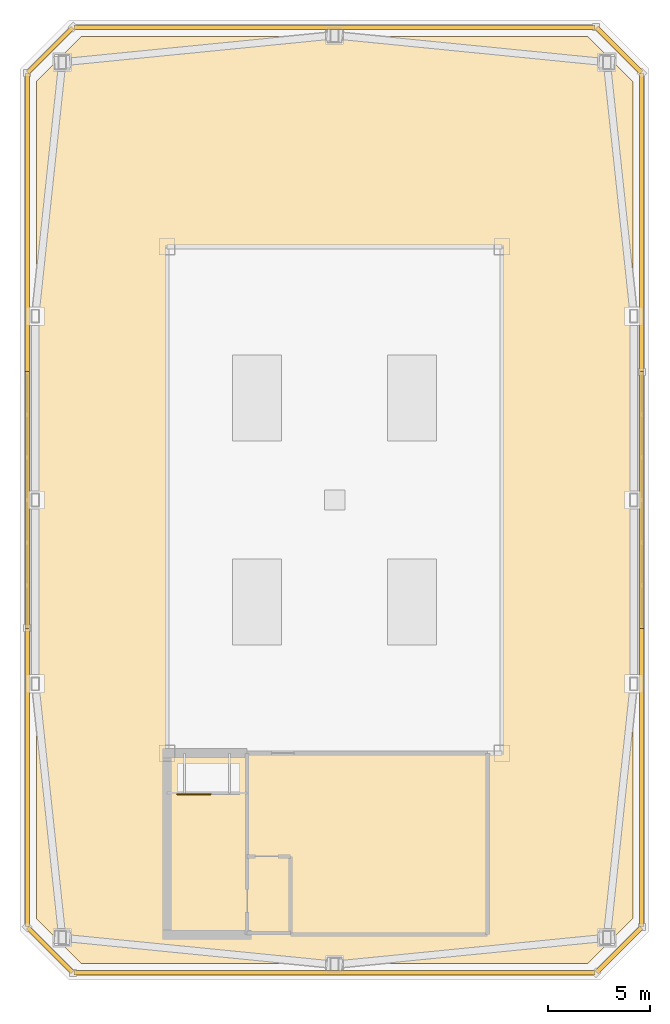
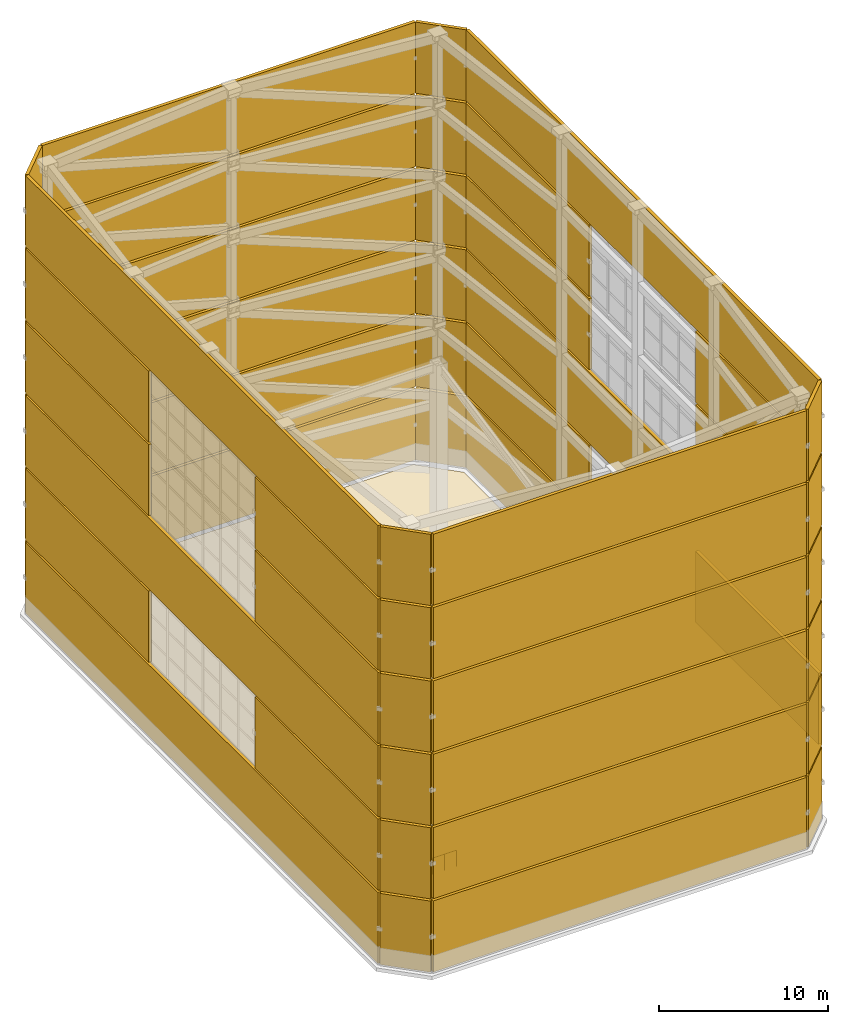
# One storey, part 47 of 47: 54 shading devices, 1 covering, 1 railing.
"""IFC4 building model written with IfcOpenShell, lengths in metres."""

import ifcopenshell
import ifcopenshell.guid

model = None  # the IFC model being written
_history = None  # IfcOwnerHistory: only IFC2X3 demands one
_inside = {}  # id of a spatial element -> (the spatial element, [elements in it])
_under = {}  # id of a project, library or spatial element -> (it, [spatial elements below it])
_declared = {}  # id of a project -> (the project, [libraries it declares])
_typed = {}  # id of a type object -> (the type object, [elements of that type])
_made_of = {}  # id of a material, layer set ... -> (it, [elements and type objects made of it])


def new_model(schema):
    """Start an empty IFC model of exactly this schema.

    Asked for "IFC4X3", IfcOpenShell would pick the latest addendum, in which some entities
    have other attributes; the version numbers below select the first issue.
    IFC2X3 requires an IfcOwnerHistory on every rooted entity: one is made here for all.
    """
    global model, _history
    if schema == "IFC4X3":
        model = ifcopenshell.file(schema_version=(4, 3, 0, 0))
    else:
        model = ifcopenshell.file(schema=schema)
    _inside.clear()
    _under.clear()
    _declared.clear()
    _typed.clear()
    _made_of.clear()
    _history = None
    if model.schema == "IFC2X3":
        org = make("IfcOrganization", Name="unknown")
        user = make(
            "IfcPersonAndOrganization",
            ThePerson=make("IfcPerson", FamilyName="unknown"),
            TheOrganization=org,
        )
        app = make(
            "IfcApplication",
            ApplicationDeveloper=org,
            Version="unknown",
            ApplicationFullName="unknown",
            ApplicationIdentifier="unknown",
        )
        _history = make(
            "IfcOwnerHistory",
            OwningUser=user,
            OwningApplication=app,
            ChangeAction="ADDED",
            CreationDate=0,
        )
    return model


def make(cls, **values):
    """One entity of the class cls with the attributes given. An attribute that is None is left unset."""
    return model.create_entity(
        cls, **{name: value for name, value in values.items() if value is not None}
    )


def rooted(cls, **values):
    """An entity with a GlobalId (a new one), such as an element, a storey or a relation."""
    return make(cls, GlobalId=ifcopenshell.guid.new(), OwnerHistory=_history, **values)


def si_unit(unit_type, name, prefix=None):
    """IfcSIUnit, for example si_unit("LENGTHUNIT", "METRE", prefix="MILLI")."""
    return make("IfcSIUnit", UnitType=unit_type, Prefix=prefix, Name=name)


def assignment(units):
    """IfcUnitAssignment: the units of a project."""
    return None if units is None else make("IfcUnitAssignment", Units=units)


def point(xyz):
    """IfcCartesianPoint."""
    return None if xyz is None else make("IfcCartesianPoint", Coordinates=xyz)


def direction(xyz):
    """IfcDirection."""
    return None if xyz is None else make("IfcDirection", DirectionRatios=xyz)


def frame(location, z_axis=None, x_axis=None):
    """IfcAxis2Placement3D, a coordinate frame: its origin and axes. An axis left out is left unset."""
    return make(
        "IfcAxis2Placement3D",
        Location=point(location),
        Axis=direction(z_axis),
        RefDirection=direction(x_axis),
    )


def frame_2d(location, x_axis=None):
    """IfcAxis2Placement2D, a coordinate frame in the plane: its origin and x axis."""
    return make(
        "IfcAxis2Placement2D", Location=point(location), RefDirection=direction(x_axis)
    )


def origin():
    """The frame at (0, 0, 0) with its axes left unset."""
    return frame((0.0, 0.0, 0.0))


def origin_2d():
    """The frame at (0, 0) in the plane with its x axis left unset."""
    return frame_2d((0.0, 0.0))


def place(relative_to, where):
    """IfcLocalPlacement: puts the frame where relative to a parent placement (None: the world)."""
    return make(
        "IfcLocalPlacement", PlacementRelTo=relative_to, RelativePlacement=where
    )


def context(
    kind, dimensions, precision=None, world=None, true_north=None, identifier=None
):
    """IfcGeometricRepresentationContext, for example the 3D "Model" context."""
    return make(
        "IfcGeometricRepresentationContext",
        ContextIdentifier=identifier,
        ContextType=kind,
        CoordinateSpaceDimension=dimensions,
        Precision=precision,
        WorldCoordinateSystem=world,
        TrueNorth=true_north,
    )


def subcontext(parent, identifier, kind, view, scale=None):
    """IfcGeometricRepresentationSubContext, for example "Body" below "Model"."""
    return make(
        "IfcGeometricRepresentationSubContext",
        ContextIdentifier=identifier,
        ContextType=kind,
        ParentContext=parent,
        TargetScale=scale,
        TargetView=view,
    )


def project(units=None, contexts=None):
    """IfcProject with its units and contexts."""
    return rooted(
        "IfcProject",
        Name="project",
        RepresentationContexts=contexts,
        UnitsInContext=assignment(units),
    )


def spatial(cls, under=None, at=None, **own):
    """A site, building, storey or space (cls), placed at a placement, below another one or the project."""
    s = rooted(cls, ObjectPlacement=at, **own)
    if under is not None:
        _under.setdefault(under.id(), (under, []))[1].append(s)
    return s


def polyline(points):
    """IfcPolyline through the points."""
    return make("IfcPolyline", Points=[point(p) for p in points])


def profile(cls, at=None, kind="AREA", **sizes):
    """A parametric profile (cls). Its sizes go by their IFC names, for example OverallWidth=200.0."""
    return make(cls, ProfileType=kind, Position=at, **sizes)


def rectangle(**sizes):
    """IfcRectangleProfileDef."""
    return profile("IfcRectangleProfileDef", **sizes)


def circle(**sizes):
    """IfcCircleProfileDef."""
    return profile("IfcCircleProfileDef", **sizes)


def outline(outer, holes=None, kind="AREA"):
    """IfcArbitraryClosedProfileDef: a profile drawn as a closed curve; with holes, ...WithVoids."""
    if holes is None:
        return make("IfcArbitraryClosedProfileDef", ProfileType=kind, OuterCurve=outer)
    return make(
        "IfcArbitraryProfileDefWithVoids",
        ProfileType=kind,
        OuterCurve=outer,
        InnerCurves=holes,
    )


def extrude(swept, where, along, depth):
    """IfcExtrudedAreaSolid: the profile swept, set in the frame where, extruded along a direction by depth."""
    return make(
        "IfcExtrudedAreaSolid",
        SweptArea=swept,
        Position=where,
        ExtrudedDirection=direction(along),
        Depth=depth,
    )


def shape(context_of_items, identifier, shape_type, items):
    """IfcShapeRepresentation: the items that make up one representation, for example the "Body"."""
    return make(
        "IfcShapeRepresentation",
        ContextOfItems=context_of_items,
        RepresentationIdentifier=identifier,
        RepresentationType=shape_type,
        Items=items,
    )


def material(Name=None, Category=None):
    """IfcMaterial."""
    return make("IfcMaterial", Name=Name, Category=Category)


def layer(
    of_material, thickness, ventilated=None, Name=None, Category=None, Priority=None
):
    """IfcMaterialLayer: one layer of a wall or slab, of a material (None: an air gap)."""
    return make(
        "IfcMaterialLayer",
        Material=of_material,
        LayerThickness=thickness,
        IsVentilated=ventilated,
        Name=Name,
        Category=Category,
        Priority=Priority,
    )


def layer_set(layers, Name=None):
    """IfcMaterialLayerSet."""
    return make("IfcMaterialLayerSet", MaterialLayers=layers, LayerSetName=Name)


def made_of(thing, what):
    """Note that an element or type object is made of a material, layer set ...; save() writes the relation."""
    if what is not None:
        _made_of.setdefault(what.id(), (what, []))[1].append(thing)
    return thing


def type_object(cls, material=None, **own):
    """A type object (cls), such as IfcWallType, which elements share."""
    return made_of(rooted(cls, **own), material)


def element(
    cls,
    number,
    at=None,
    inside=None,
    cuts=None,
    type_object=None,
    material=None,
    context=None,
    identifier="Body",
    shape_type=None,
    held_by="IfcProductDefinitionShape",
    body=None,
    shapes=None,
    **own,
):
    """One element of the class cls, such as IfcWall. Its Tag is "e" and its number.

    at: its placement. inside: the storey or other place that contains it. cuts: it is an
    opening in that element (IfcRelVoidsElement). A single representation is given by context,
    identifier, shape_type and body (its items); several are given by shapes. held_by: the class
    of the entity that holds the representations. save() writes the other relations.
    """
    e = rooted(cls, Tag="e%d" % number, ObjectPlacement=at, **own)
    if body is not None:
        shapes = [shape(context, identifier, shape_type, body)]
    if shapes is not None:
        e.Representation = make(held_by, Representations=shapes)
    if inside is not None:
        _inside.setdefault(inside.id(), (inside, []))[1].append(e)
    if cuts is not None:
        rooted(
            "IfcRelVoidsElement", RelatingBuildingElement=cuts, RelatedOpeningElement=e
        )
    if type_object is not None:
        _typed.setdefault(type_object.id(), (type_object, []))[1].append(e)
    return made_of(e, material)


def aggregate(whole, parts):
    """IfcRelAggregates: a whole, such as a stair, and the parts it consists of."""
    return rooted("IfcRelAggregates", RelatingObject=whole, RelatedObjects=parts)


def save(model, path):
    """Write the relations noted so far, then the file.

    IfcRelAggregates (storeys below a building ...), IfcRelContainedInSpatialStructure (elements
    in a storey), IfcRelDefinesByType, IfcRelAssociatesMaterial and IfcRelDeclares: one each for
    every whole, place, type object, material and project.
    """
    for whole, parts in _under.values():
        aggregate(whole, parts)
    for where, things in _inside.values():
        rooted(
            "IfcRelContainedInSpatialStructure",
            RelatedElements=things,
            RelatingStructure=where,
        )
    for kind, things in _typed.values():
        rooted("IfcRelDefinesByType", RelatedObjects=things, RelatingType=kind)
    for what, things in _made_of.values():
        rooted("IfcRelAssociatesMaterial", RelatedObjects=things, RelatingMaterial=what)
    for by, libraries in _declared.values():
        rooted("IfcRelDeclares", RelatingContext=by, RelatedDefinitions=libraries)
    model.write(path)


model = new_model("IFC4")

# Units and contexts
model_context = context("Model", 3, precision=1e-05, world=origin(), true_north=direction((0.0, 1.0)))
body_context = subcontext(model_context, "Body", "Model", "MODEL_VIEW")
ifc_project = project(units=[si_unit("LENGTHUNIT", "METRE"), si_unit("AREAUNIT", "SQUARE_METRE"), si_unit("VOLUMEUNIT", "CUBIC_METRE"), si_unit("PLANEANGLEUNIT", "RADIAN"), si_unit("MASSUNIT", "GRAM", prefix="KILO")], contexts=[model_context])

# Site, building, storey
site_placement = place(None, origin())
site = spatial("IfcSite", under=ifc_project, at=site_placement, CompositionType="ELEMENT")
building_placement = place(site_placement, origin())
building = spatial("IfcBuilding", under=site, at=building_placement, Name="Qiaolan Cultural Towers", CompositionType="ELEMENT")
storey_placement = place(building_placement, frame((0.0, 0.0, 280.199951171875)))
storey = spatial("IfcBuildingStorey", under=building, at=storey_placement, Name="RF", CompositionType="ELEMENT", Elevation=280.199951171875)

# Covering
ifc_material_1 = material(Name="TPO Waterproofing & Extruded Polystyrene Inverted Roof System", Category="bitumen")
ifc_layer_1 = layer(ifc_material_1, 0.080078125)
ifc_layer_set_1 = layer_set([ifc_layer_1], Name="TPO Waterproofing & Extruded Polystyrene Inverted Roof System")
covering_type = type_object("IfcCoveringType", Name="COV-ROOF-MEMB", PredefinedType="ROOFING", material=ifc_layer_set_1)
covering_placement = place(storey_placement, origin())
element("IfcCovering", 1, at=covering_placement, inside=storey, type_object=covering_type, Name="T1 Tower Main Roof Waterproofing Membrane", PredefinedType="ROOFING", context=body_context, shape_type="SweptSolid", body=[
    extrude(outline(polyline([(17.60009765625, 11.300048828125), (42.39990234375, 11.300048828125), (44.60009765625, 13.5), (44.60009765625, 54.5), (42.39990234375, 56.699951171875), (17.60009765625, 56.699951171875), (15.39990234375, 54.5), (15.39990234375, 13.5), (17.60009765625, 11.300048828125)])), origin(), (0.0, 0.0, 1.0), 0.080078125),
])

# Railing
ifc_material_2 = material(Name="Galvanized Painted Steel Stair Guardrail", Category="steel")
railing_type = type_object("IfcRailingType", Name="RL-STAIR-GRD", PredefinedType="GUARDRAIL", material=ifc_material_2)
railing_placement = place(storey_placement, frame((22.300048828125, 19.60009765625, 0.0)))
element("IfcRailing", 2, at=railing_placement, inside=storey, type_object=railing_type, Name="RF ST-W1 top well guard 1", PredefinedType="GUARDRAIL", context=body_context, shape_type="SweptSolid", body=[
    extrude(circle(Radius=0.02392578125, at=origin_2d()), frame((0.0, 0.0, 1.17578125), z_axis=(1.0, 0.0, 0.0), x_axis=(0.0, 1.0, 0.0)), (0.0, 0.0, 1.0), 1.639892578125),
    extrude(circle(Radius=0.02099609375, at=origin_2d()), origin(), (0.0, 0.0, 1.0), 1.15185546875),
    extrude(circle(Radius=0.02099609375, at=origin_2d()), frame((0.81982421875, 0.0, 0.0)), (0.0, 0.0, 1.0), 1.15185546875),
    extrude(circle(Radius=0.02099609375, at=origin_2d()), frame((1.639892578125, 0.0, 0.0)), (0.0, 0.0, 1.0), 1.15185546875),
])

# Shading devices
ifc_material_3 = material(Name="Fluorocarbon Coated Aluminium Acoustic Storm Louvre", Category="aluminium")
ifc_layer_2 = layer(ifc_material_3, 0.179931640625)
ifc_layer_set_2 = layer_set([ifc_layer_2], Name="Fluorocarbon Coated Aluminium Acoustic Storm Louvre")
shading_device_type = type_object("IfcShadingDeviceType", Name="SHD-CRN-LOUVRE", PredefinedType="USERDEFINED", material=ifc_layer_set_2)
shading_device_1_placement = place(storey_placement, frame((30.0, 10.85009765625, 0.080078125), z_axis=(0.0, 0.0, 1.0), x_axis=(1.0, 0.0, 0.0)))
element("IfcShadingDevice", 3, at=shading_device_1_placement, inside=storey, type_object=shading_device_type, Name="T1 Crown Tier 1 Acoustic Louvre Screen 1", ObjectType="LOUVRE", PredefinedType="USERDEFINED", context=body_context, shape_type="SweptSolid", body=[
    extrude(rectangle(XDim=25.52001953125, YDim=0.219970703125, at=origin_2d()), origin(), (0.0, 0.0, 1.0), 5.139892578125),
])
shading_device_2_placement = place(storey_placement, frame((43.925048828125, 11.97509765625, 0.080078125), z_axis=(0.0, 0.0, 1.0), x_axis=(0.707106781187, 0.707106781187, 0.0)))
element("IfcShadingDevice", 4, at=shading_device_2_placement, inside=storey, type_object=shading_device_type, Name="T1 Crown Tier 1 Acoustic Louvre Screen 2", ObjectType="LOUVRE", PredefinedType="USERDEFINED", context=body_context, shape_type="SweptSolid", body=[
    extrude(rectangle(XDim=3.10205078125, YDim=0.219970703125, at=origin_2d()), origin(), (0.0, 0.0, 1.0), 5.139892578125),
])
shading_device_3_placement = place(storey_placement, frame((45.050048828125, 34.0, 0.080078125), z_axis=(0.0, 0.0, 1.0), x_axis=(0.0, 1.0, 0.0)))
element("IfcShadingDevice", 5, at=shading_device_3_placement, inside=storey, type_object=shading_device_type, Name="T1 Crown Tier 1 Acoustic Louvre Screen 3", ObjectType="LOUVRE", PredefinedType="USERDEFINED", context=body_context, shape_type="SweptSolid", body=[
    extrude(rectangle(XDim=41.719970703125, YDim=0.219970703125, at=origin_2d()), origin(), (0.0, 0.0, 1.0), 5.139892578125),
])
shading_device_4_placement = place(storey_placement, frame((43.925048828125, 56.02490234375, 0.080078125), z_axis=(0.0, 0.0, 1.0), x_axis=(-0.707106781187, 0.707106781187, 0.0)))
element("IfcShadingDevice", 6, at=shading_device_4_placement, inside=storey, type_object=shading_device_type, Name="T1 Crown Tier 1 Acoustic Louvre Screen 4", ObjectType="LOUVRE", PredefinedType="USERDEFINED", context=body_context, shape_type="SweptSolid", body=[
    extrude(rectangle(XDim=3.10205078125, YDim=0.219970703125, at=origin_2d()), origin(), (0.0, 0.0, 1.0), 5.139892578125),
])
shading_device_5_placement = place(storey_placement, frame((30.0, 57.14990234375, 0.080078125), z_axis=(0.0, 0.0, 1.0), x_axis=(-1.0, 0.0, 0.0)))
element("IfcShadingDevice", 7, at=shading_device_5_placement, inside=storey, type_object=shading_device_type, Name="T1 Crown Tier 1 Acoustic Louvre Screen 5", ObjectType="LOUVRE", PredefinedType="USERDEFINED", context=body_context, shape_type="SweptSolid", body=[
    extrude(rectangle(XDim=25.52001953125, YDim=0.219970703125, at=origin_2d()), origin(), (0.0, 0.0, 1.0), 5.139892578125),
])
shading_device_6_placement = place(storey_placement, frame((16.074951171875, 56.02490234375, 0.080078125), z_axis=(0.0, 0.0, 1.0), x_axis=(-0.707106781187, -0.707106781187, 0.0)))
element("IfcShadingDevice", 8, at=shading_device_6_placement, inside=storey, type_object=shading_device_type, Name="T1 Crown Tier 1 Acoustic Louvre Screen 6", ObjectType="LOUVRE", PredefinedType="USERDEFINED", context=body_context, shape_type="SweptSolid", body=[
    extrude(rectangle(XDim=3.10205078125, YDim=0.219970703125, at=origin_2d()), origin(), (0.0, 0.0, 1.0), 5.139892578125),
])
shading_device_7_placement = place(storey_placement, frame((14.949951171875, 34.0, 0.080078125), z_axis=(0.0, 0.0, 1.0), x_axis=(0.0, -1.0, 0.0)))
element("IfcShadingDevice", 9, at=shading_device_7_placement, inside=storey, type_object=shading_device_type, Name="T1 Crown Tier 1 Acoustic Louvre Screen 7", ObjectType="LOUVRE", PredefinedType="USERDEFINED", context=body_context, shape_type="SweptSolid", body=[
    extrude(rectangle(XDim=41.719970703125, YDim=0.219970703125, at=origin_2d()), origin(), (0.0, 0.0, 1.0), 5.139892578125),
])
shading_device_8_placement = place(storey_placement, frame((16.074951171875, 11.97509765625, 0.080078125), z_axis=(0.0, 0.0, 1.0), x_axis=(0.707106781187, -0.707106781187, 0.0)))
element("IfcShadingDevice", 10, at=shading_device_8_placement, inside=storey, type_object=shading_device_type, Name="T1 Crown Tier 1 Acoustic Louvre Screen 8", ObjectType="LOUVRE", PredefinedType="USERDEFINED", context=body_context, shape_type="SweptSolid", body=[
    extrude(rectangle(XDim=3.10205078125, YDim=0.219970703125, at=origin_2d()), origin(), (0.0, 0.0, 1.0), 5.139892578125),
])
shading_device_9_placement = place(storey_placement, frame((30.0, 10.85009765625, 5.3798828125), z_axis=(0.0, 0.0, 1.0), x_axis=(1.0, 0.0, 0.0)))
element("IfcShadingDevice", 11, at=shading_device_9_placement, inside=storey, type_object=shading_device_type, Name="T1 Crown Tier 2 Acoustic Louvre Screen 1", ObjectType="LOUVRE", PredefinedType="USERDEFINED", context=body_context, shape_type="SweptSolid", body=[
    extrude(rectangle(XDim=25.52001953125, YDim=0.219970703125, at=origin_2d()), origin(), (0.0, 0.0, 1.0), 5.139892578125),
])
shading_device_10_placement = place(storey_placement, frame((43.925048828125, 11.97509765625, 5.3798828125), z_axis=(0.0, 0.0, 1.0), x_axis=(0.707106781187, 0.707106781187, 0.0)))
element("IfcShadingDevice", 12, at=shading_device_10_placement, inside=storey, type_object=shading_device_type, Name="T1 Crown Tier 2 Acoustic Louvre Screen 2", ObjectType="LOUVRE", PredefinedType="USERDEFINED", context=body_context, shape_type="SweptSolid", body=[
    extrude(rectangle(XDim=3.10205078125, YDim=0.219970703125, at=origin_2d()), origin(), (0.0, 0.0, 1.0), 5.139892578125),
])
for number, where, z_axis, x_axis, name in (
    (13, (45.050048828125, 20.4150390625, 5.3798828125), (0.0, 0.0, 1.0), (0.0, 1.0, 0.0), "T1 Crown Tier 2 Acoustic Louvre Flank 3L"),
    (14, (45.050048828125, 47.5849609375, 5.3798828125), (0.0, 0.0, 1.0), (0.0, 1.0, 0.0), "T1 Crown Tier 2 Acoustic Louvre Flank 3R"),
):
    element("IfcShadingDevice", number, at=place(storey_placement, frame(where, z_axis=z_axis, x_axis=x_axis)), inside=storey, type_object=shading_device_type, Name=name, ObjectType="LOUVRE", PredefinedType="USERDEFINED", context=body_context, shape_type="SweptSolid", body=[
        extrude(rectangle(XDim=14.570068359375, YDim=0.219970703125, at=origin_2d()), origin(), (0.0, 0.0, 1.0), 5.139892578125),
    ])
shading_device_11_placement = place(storey_placement, frame((43.925048828125, 56.02490234375, 5.3798828125), z_axis=(0.0, 0.0, 1.0), x_axis=(-0.707106781187, 0.707106781187, 0.0)))
element("IfcShadingDevice", 15, at=shading_device_11_placement, inside=storey, type_object=shading_device_type, Name="T1 Crown Tier 2 Acoustic Louvre Screen 4", ObjectType="LOUVRE", PredefinedType="USERDEFINED", context=body_context, shape_type="SweptSolid", body=[
    extrude(rectangle(XDim=3.10205078125, YDim=0.219970703125, at=origin_2d()), origin(), (0.0, 0.0, 1.0), 5.139892578125),
])
shading_device_12_placement = place(storey_placement, frame((30.0, 57.14990234375, 5.3798828125), z_axis=(0.0, 0.0, 1.0), x_axis=(-1.0, 0.0, 0.0)))
element("IfcShadingDevice", 16, at=shading_device_12_placement, inside=storey, type_object=shading_device_type, Name="T1 Crown Tier 2 Acoustic Louvre Screen 5", ObjectType="LOUVRE", PredefinedType="USERDEFINED", context=body_context, shape_type="SweptSolid", body=[
    extrude(rectangle(XDim=25.52001953125, YDim=0.219970703125, at=origin_2d()), origin(), (0.0, 0.0, 1.0), 5.139892578125),
])
shading_device_13_placement = place(storey_placement, frame((16.074951171875, 56.02490234375, 5.3798828125), z_axis=(0.0, 0.0, 1.0), x_axis=(-0.707106781187, -0.707106781187, 0.0)))
element("IfcShadingDevice", 17, at=shading_device_13_placement, inside=storey, type_object=shading_device_type, Name="T1 Crown Tier 2 Acoustic Louvre Screen 6", ObjectType="LOUVRE", PredefinedType="USERDEFINED", context=body_context, shape_type="SweptSolid", body=[
    extrude(rectangle(XDim=3.10205078125, YDim=0.219970703125, at=origin_2d()), origin(), (0.0, 0.0, 1.0), 5.139892578125),
])
for number, where, z_axis, x_axis, name in (
    (18, (14.949951171875, 47.5849609375, 5.3798828125), (0.0, 0.0, 1.0), (0.0, -1.0, 0.0), "T1 Crown Tier 2 Acoustic Louvre Flank 7L"),
    (19, (14.949951171875, 20.4150390625, 5.3798828125), (0.0, 0.0, 1.0), (0.0, -1.0, 0.0), "T1 Crown Tier 2 Acoustic Louvre Flank 7R"),
):
    element("IfcShadingDevice", number, at=place(storey_placement, frame(where, z_axis=z_axis, x_axis=x_axis)), inside=storey, type_object=shading_device_type, Name=name, ObjectType="LOUVRE", PredefinedType="USERDEFINED", context=body_context, shape_type="SweptSolid", body=[
        extrude(rectangle(XDim=14.570068359375, YDim=0.219970703125, at=origin_2d()), origin(), (0.0, 0.0, 1.0), 5.139892578125),
    ])
shading_device_14_placement = place(storey_placement, frame((16.074951171875, 11.97509765625, 5.3798828125), z_axis=(0.0, 0.0, 1.0), x_axis=(0.707106781187, -0.707106781187, 0.0)))
element("IfcShadingDevice", 20, at=shading_device_14_placement, inside=storey, type_object=shading_device_type, Name="T1 Crown Tier 2 Acoustic Louvre Screen 8", ObjectType="LOUVRE", PredefinedType="USERDEFINED", context=body_context, shape_type="SweptSolid", body=[
    extrude(rectangle(XDim=3.10205078125, YDim=0.219970703125, at=origin_2d()), origin(), (0.0, 0.0, 1.0), 5.139892578125),
])
shading_device_15_placement = place(storey_placement, frame((30.0, 10.85009765625, 10.68017578125), z_axis=(0.0, 0.0, 1.0), x_axis=(1.0, 0.0, 0.0)))
element("IfcShadingDevice", 21, at=shading_device_15_placement, inside=storey, type_object=shading_device_type, Name="T1 Crown Tier 3 Acoustic Louvre Screen 1", ObjectType="LOUVRE", PredefinedType="USERDEFINED", context=body_context, shape_type="SweptSolid", body=[
    extrude(rectangle(XDim=25.52001953125, YDim=0.219970703125, at=origin_2d()), origin(), (0.0, 0.0, 1.0), 5.139892578125),
])
shading_device_16_placement = place(storey_placement, frame((43.925048828125, 11.97509765625, 10.68017578125), z_axis=(0.0, 0.0, 1.0), x_axis=(0.707106781187, 0.707106781187, 0.0)))
element("IfcShadingDevice", 22, at=shading_device_16_placement, inside=storey, type_object=shading_device_type, Name="T1 Crown Tier 3 Acoustic Louvre Screen 2", ObjectType="LOUVRE", PredefinedType="USERDEFINED", context=body_context, shape_type="SweptSolid", body=[
    extrude(rectangle(XDim=3.10205078125, YDim=0.219970703125, at=origin_2d()), origin(), (0.0, 0.0, 1.0), 5.139892578125),
])
shading_device_17_placement = place(storey_placement, frame((45.050048828125, 34.0, 10.68017578125), z_axis=(0.0, 0.0, 1.0), x_axis=(0.0, 1.0, 0.0)))
element("IfcShadingDevice", 23, at=shading_device_17_placement, inside=storey, type_object=shading_device_type, Name="T1 Crown Tier 3 Acoustic Louvre Screen 3", ObjectType="LOUVRE", PredefinedType="USERDEFINED", context=body_context, shape_type="SweptSolid", body=[
    extrude(rectangle(XDim=41.719970703125, YDim=0.219970703125, at=origin_2d()), origin(), (0.0, 0.0, 1.0), 5.139892578125),
])
shading_device_18_placement = place(storey_placement, frame((43.925048828125, 56.02490234375, 10.68017578125), z_axis=(0.0, 0.0, 1.0), x_axis=(-0.707106781187, 0.707106781187, 0.0)))
element("IfcShadingDevice", 24, at=shading_device_18_placement, inside=storey, type_object=shading_device_type, Name="T1 Crown Tier 3 Acoustic Louvre Screen 4", ObjectType="LOUVRE", PredefinedType="USERDEFINED", context=body_context, shape_type="SweptSolid", body=[
    extrude(rectangle(XDim=3.10205078125, YDim=0.219970703125, at=origin_2d()), origin(), (0.0, 0.0, 1.0), 5.139892578125),
])
shading_device_19_placement = place(storey_placement, frame((30.0, 57.14990234375, 10.68017578125), z_axis=(0.0, 0.0, 1.0), x_axis=(-1.0, 0.0, 0.0)))
element("IfcShadingDevice", 25, at=shading_device_19_placement, inside=storey, type_object=shading_device_type, Name="T1 Crown Tier 3 Acoustic Louvre Screen 5", ObjectType="LOUVRE", PredefinedType="USERDEFINED", context=body_context, shape_type="SweptSolid", body=[
    extrude(rectangle(XDim=25.52001953125, YDim=0.219970703125, at=origin_2d()), origin(), (0.0, 0.0, 1.0), 5.139892578125),
])
shading_device_20_placement = place(storey_placement, frame((16.074951171875, 56.02490234375, 10.68017578125), z_axis=(0.0, 0.0, 1.0), x_axis=(-0.707106781187, -0.707106781187, 0.0)))
element("IfcShadingDevice", 26, at=shading_device_20_placement, inside=storey, type_object=shading_device_type, Name="T1 Crown Tier 3 Acoustic Louvre Screen 6", ObjectType="LOUVRE", PredefinedType="USERDEFINED", context=body_context, shape_type="SweptSolid", body=[
    extrude(rectangle(XDim=3.10205078125, YDim=0.219970703125, at=origin_2d()), origin(), (0.0, 0.0, 1.0), 5.139892578125),
])
shading_device_21_placement = place(storey_placement, frame((14.949951171875, 34.0, 10.68017578125), z_axis=(0.0, 0.0, 1.0), x_axis=(0.0, -1.0, 0.0)))
element("IfcShadingDevice", 27, at=shading_device_21_placement, inside=storey, type_object=shading_device_type, Name="T1 Crown Tier 3 Acoustic Louvre Screen 7", ObjectType="LOUVRE", PredefinedType="USERDEFINED", context=body_context, shape_type="SweptSolid", body=[
    extrude(rectangle(XDim=41.719970703125, YDim=0.219970703125, at=origin_2d()), origin(), (0.0, 0.0, 1.0), 5.139892578125),
])
shading_device_22_placement = place(storey_placement, frame((16.074951171875, 11.97509765625, 10.68017578125), z_axis=(0.0, 0.0, 1.0), x_axis=(0.707106781187, -0.707106781187, 0.0)))
element("IfcShadingDevice", 28, at=shading_device_22_placement, inside=storey, type_object=shading_device_type, Name="T1 Crown Tier 3 Acoustic Louvre Screen 8", ObjectType="LOUVRE", PredefinedType="USERDEFINED", context=body_context, shape_type="SweptSolid", body=[
    extrude(rectangle(XDim=3.10205078125, YDim=0.219970703125, at=origin_2d()), origin(), (0.0, 0.0, 1.0), 5.139892578125),
])
shading_device_23_placement = place(storey_placement, frame((30.0, 10.85009765625, 15.97998046875), z_axis=(0.0, 0.0, 1.0), x_axis=(1.0, 0.0, 0.0)))
element("IfcShadingDevice", 29, at=shading_device_23_placement, inside=storey, type_object=shading_device_type, Name="T1 Crown Tier 4 Acoustic Louvre Screen 1", ObjectType="LOUVRE", PredefinedType="USERDEFINED", context=body_context, shape_type="SweptSolid", body=[
    extrude(rectangle(XDim=25.52001953125, YDim=0.219970703125, at=origin_2d()), origin(), (0.0, 0.0, 1.0), 5.139892578125),
])
shading_device_24_placement = place(storey_placement, frame((43.925048828125, 11.97509765625, 15.97998046875), z_axis=(0.0, 0.0, 1.0), x_axis=(0.707106781187, 0.707106781187, 0.0)))
element("IfcShadingDevice", 30, at=shading_device_24_placement, inside=storey, type_object=shading_device_type, Name="T1 Crown Tier 4 Acoustic Louvre Screen 2", ObjectType="LOUVRE", PredefinedType="USERDEFINED", context=body_context, shape_type="SweptSolid", body=[
    extrude(rectangle(XDim=3.10205078125, YDim=0.219970703125, at=origin_2d()), origin(), (0.0, 0.0, 1.0), 5.139892578125),
])
for number, where, z_axis, x_axis, name in (
    (31, (45.050048828125, 20.4150390625, 15.97998046875), (0.0, 0.0, 1.0), (0.0, 1.0, 0.0), "T1 Crown Tier 4 Acoustic Louvre Flank 3L"),
    (32, (45.050048828125, 47.5849609375, 15.97998046875), (0.0, 0.0, 1.0), (0.0, 1.0, 0.0), "T1 Crown Tier 4 Acoustic Louvre Flank 3R"),
):
    element("IfcShadingDevice", number, at=place(storey_placement, frame(where, z_axis=z_axis, x_axis=x_axis)), inside=storey, type_object=shading_device_type, Name=name, ObjectType="LOUVRE", PredefinedType="USERDEFINED", context=body_context, shape_type="SweptSolid", body=[
        extrude(rectangle(XDim=14.570068359375, YDim=0.219970703125, at=origin_2d()), origin(), (0.0, 0.0, 1.0), 5.139892578125),
    ])
shading_device_25_placement = place(storey_placement, frame((43.925048828125, 56.02490234375, 15.97998046875), z_axis=(0.0, 0.0, 1.0), x_axis=(-0.707106781187, 0.707106781187, 0.0)))
element("IfcShadingDevice", 33, at=shading_device_25_placement, inside=storey, type_object=shading_device_type, Name="T1 Crown Tier 4 Acoustic Louvre Screen 4", ObjectType="LOUVRE", PredefinedType="USERDEFINED", context=body_context, shape_type="SweptSolid", body=[
    extrude(rectangle(XDim=3.10205078125, YDim=0.219970703125, at=origin_2d()), origin(), (0.0, 0.0, 1.0), 5.139892578125),
])
shading_device_26_placement = place(storey_placement, frame((30.0, 57.14990234375, 15.97998046875), z_axis=(0.0, 0.0, 1.0), x_axis=(-1.0, 0.0, 0.0)))
element("IfcShadingDevice", 34, at=shading_device_26_placement, inside=storey, type_object=shading_device_type, Name="T1 Crown Tier 4 Acoustic Louvre Screen 5", ObjectType="LOUVRE", PredefinedType="USERDEFINED", context=body_context, shape_type="SweptSolid", body=[
    extrude(rectangle(XDim=25.52001953125, YDim=0.219970703125, at=origin_2d()), origin(), (0.0, 0.0, 1.0), 5.139892578125),
])
shading_device_27_placement = place(storey_placement, frame((16.074951171875, 56.02490234375, 15.97998046875), z_axis=(0.0, 0.0, 1.0), x_axis=(-0.707106781187, -0.707106781187, 0.0)))
element("IfcShadingDevice", 35, at=shading_device_27_placement, inside=storey, type_object=shading_device_type, Name="T1 Crown Tier 4 Acoustic Louvre Screen 6", ObjectType="LOUVRE", PredefinedType="USERDEFINED", context=body_context, shape_type="SweptSolid", body=[
    extrude(rectangle(XDim=3.10205078125, YDim=0.219970703125, at=origin_2d()), origin(), (0.0, 0.0, 1.0), 5.139892578125),
])
for number, where, z_axis, x_axis, name in (
    (36, (14.949951171875, 47.5849609375, 15.97998046875), (0.0, 0.0, 1.0), (0.0, -1.0, 0.0), "T1 Crown Tier 4 Acoustic Louvre Flank 7L"),
    (37, (14.949951171875, 20.4150390625, 15.97998046875), (0.0, 0.0, 1.0), (0.0, -1.0, 0.0), "T1 Crown Tier 4 Acoustic Louvre Flank 7R"),
):
    element("IfcShadingDevice", number, at=place(storey_placement, frame(where, z_axis=z_axis, x_axis=x_axis)), inside=storey, type_object=shading_device_type, Name=name, ObjectType="LOUVRE", PredefinedType="USERDEFINED", context=body_context, shape_type="SweptSolid", body=[
        extrude(rectangle(XDim=14.570068359375, YDim=0.219970703125, at=origin_2d()), origin(), (0.0, 0.0, 1.0), 5.139892578125),
    ])
shading_device_28_placement = place(storey_placement, frame((16.074951171875, 11.97509765625, 15.97998046875), z_axis=(0.0, 0.0, 1.0), x_axis=(0.707106781187, -0.707106781187, 0.0)))
element("IfcShadingDevice", 38, at=shading_device_28_placement, inside=storey, type_object=shading_device_type, Name="T1 Crown Tier 4 Acoustic Louvre Screen 8", ObjectType="LOUVRE", PredefinedType="USERDEFINED", context=body_context, shape_type="SweptSolid", body=[
    extrude(rectangle(XDim=3.10205078125, YDim=0.219970703125, at=origin_2d()), origin(), (0.0, 0.0, 1.0), 5.139892578125),
])
shading_device_29_placement = place(storey_placement, frame((30.0, 10.85009765625, 21.2802734375), z_axis=(0.0, 0.0, 1.0), x_axis=(1.0, 0.0, 0.0)))
element("IfcShadingDevice", 39, at=shading_device_29_placement, inside=storey, type_object=shading_device_type, Name="T1 Crown Tier 5 Acoustic Louvre Screen 1", ObjectType="LOUVRE", PredefinedType="USERDEFINED", context=body_context, shape_type="SweptSolid", body=[
    extrude(rectangle(XDim=25.52001953125, YDim=0.219970703125, at=origin_2d()), origin(), (0.0, 0.0, 1.0), 5.139892578125),
])
shading_device_30_placement = place(storey_placement, frame((43.925048828125, 11.97509765625, 21.2802734375), z_axis=(0.0, 0.0, 1.0), x_axis=(0.707106781187, 0.707106781187, 0.0)))
element("IfcShadingDevice", 40, at=shading_device_30_placement, inside=storey, type_object=shading_device_type, Name="T1 Crown Tier 5 Acoustic Louvre Screen 2", ObjectType="LOUVRE", PredefinedType="USERDEFINED", context=body_context, shape_type="SweptSolid", body=[
    extrude(rectangle(XDim=3.10205078125, YDim=0.219970703125, at=origin_2d()), origin(), (0.0, 0.0, 1.0), 5.139892578125),
])
for number, where, z_axis, x_axis, name in (
    (41, (45.050048828125, 20.4150390625, 21.2802734375), (0.0, 0.0, 1.0), (0.0, 1.0, 0.0), "T1 Crown Tier 5 Acoustic Louvre Flank 3L"),
    (42, (45.050048828125, 47.5849609375, 21.2802734375), (0.0, 0.0, 1.0), (0.0, 1.0, 0.0), "T1 Crown Tier 5 Acoustic Louvre Flank 3R"),
):
    element("IfcShadingDevice", number, at=place(storey_placement, frame(where, z_axis=z_axis, x_axis=x_axis)), inside=storey, type_object=shading_device_type, Name=name, ObjectType="LOUVRE", PredefinedType="USERDEFINED", context=body_context, shape_type="SweptSolid", body=[
        extrude(rectangle(XDim=14.570068359375, YDim=0.219970703125, at=origin_2d()), origin(), (0.0, 0.0, 1.0), 5.139892578125),
    ])
shading_device_31_placement = place(storey_placement, frame((43.925048828125, 56.02490234375, 21.2802734375), z_axis=(0.0, 0.0, 1.0), x_axis=(-0.707106781187, 0.707106781187, 0.0)))
element("IfcShadingDevice", 43, at=shading_device_31_placement, inside=storey, type_object=shading_device_type, Name="T1 Crown Tier 5 Acoustic Louvre Screen 4", ObjectType="LOUVRE", PredefinedType="USERDEFINED", context=body_context, shape_type="SweptSolid", body=[
    extrude(rectangle(XDim=3.10205078125, YDim=0.219970703125, at=origin_2d()), origin(), (0.0, 0.0, 1.0), 5.139892578125),
])
shading_device_32_placement = place(storey_placement, frame((30.0, 57.14990234375, 21.2802734375), z_axis=(0.0, 0.0, 1.0), x_axis=(-1.0, 0.0, 0.0)))
element("IfcShadingDevice", 44, at=shading_device_32_placement, inside=storey, type_object=shading_device_type, Name="T1 Crown Tier 5 Acoustic Louvre Screen 5", ObjectType="LOUVRE", PredefinedType="USERDEFINED", context=body_context, shape_type="SweptSolid", body=[
    extrude(rectangle(XDim=25.52001953125, YDim=0.219970703125, at=origin_2d()), origin(), (0.0, 0.0, 1.0), 5.139892578125),
])
shading_device_33_placement = place(storey_placement, frame((16.074951171875, 56.02490234375, 21.2802734375), z_axis=(0.0, 0.0, 1.0), x_axis=(-0.707106781187, -0.707106781187, 0.0)))
element("IfcShadingDevice", 45, at=shading_device_33_placement, inside=storey, type_object=shading_device_type, Name="T1 Crown Tier 5 Acoustic Louvre Screen 6", ObjectType="LOUVRE", PredefinedType="USERDEFINED", context=body_context, shape_type="SweptSolid", body=[
    extrude(rectangle(XDim=3.10205078125, YDim=0.219970703125, at=origin_2d()), origin(), (0.0, 0.0, 1.0), 5.139892578125),
])
for number, where, z_axis, x_axis, name in (
    (46, (14.949951171875, 47.5849609375, 21.2802734375), (0.0, 0.0, 1.0), (0.0, -1.0, 0.0), "T1 Crown Tier 5 Acoustic Louvre Flank 7L"),
    (47, (14.949951171875, 20.4150390625, 21.2802734375), (0.0, 0.0, 1.0), (0.0, -1.0, 0.0), "T1 Crown Tier 5 Acoustic Louvre Flank 7R"),
):
    element("IfcShadingDevice", number, at=place(storey_placement, frame(where, z_axis=z_axis, x_axis=x_axis)), inside=storey, type_object=shading_device_type, Name=name, ObjectType="LOUVRE", PredefinedType="USERDEFINED", context=body_context, shape_type="SweptSolid", body=[
        extrude(rectangle(XDim=14.570068359375, YDim=0.219970703125, at=origin_2d()), origin(), (0.0, 0.0, 1.0), 5.139892578125),
    ])
shading_device_34_placement = place(storey_placement, frame((16.074951171875, 11.97509765625, 21.2802734375), z_axis=(0.0, 0.0, 1.0), x_axis=(0.707106781187, -0.707106781187, 0.0)))
element("IfcShadingDevice", 48, at=shading_device_34_placement, inside=storey, type_object=shading_device_type, Name="T1 Crown Tier 5 Acoustic Louvre Screen 8", ObjectType="LOUVRE", PredefinedType="USERDEFINED", context=body_context, shape_type="SweptSolid", body=[
    extrude(rectangle(XDim=3.10205078125, YDim=0.219970703125, at=origin_2d()), origin(), (0.0, 0.0, 1.0), 5.139892578125),
])
shading_device_35_placement = place(storey_placement, frame((30.0, 10.85009765625, 26.580078125), z_axis=(0.0, 0.0, 1.0), x_axis=(1.0, 0.0, 0.0)))
element("IfcShadingDevice", 49, at=shading_device_35_placement, inside=storey, type_object=shading_device_type, Name="T1 Crown Tier 6 Acoustic Louvre Screen 1", ObjectType="LOUVRE", PredefinedType="USERDEFINED", context=body_context, shape_type="SweptSolid", body=[
    extrude(rectangle(XDim=25.52001953125, YDim=0.219970703125, at=origin_2d()), origin(), (0.0, 0.0, 1.0), 5.139892578125),
])
shading_device_36_placement = place(storey_placement, frame((43.925048828125, 11.97509765625, 26.580078125), z_axis=(0.0, 0.0, 1.0), x_axis=(0.707106781187, 0.707106781187, 0.0)))
element("IfcShadingDevice", 50, at=shading_device_36_placement, inside=storey, type_object=shading_device_type, Name="T1 Crown Tier 6 Acoustic Louvre Screen 2", ObjectType="LOUVRE", PredefinedType="USERDEFINED", context=body_context, shape_type="SweptSolid", body=[
    extrude(rectangle(XDim=3.10205078125, YDim=0.219970703125, at=origin_2d()), origin(), (0.0, 0.0, 1.0), 5.139892578125),
])
shading_device_37_placement = place(storey_placement, frame((45.050048828125, 34.0, 26.580078125), z_axis=(0.0, 0.0, 1.0), x_axis=(0.0, 1.0, 0.0)))
element("IfcShadingDevice", 51, at=shading_device_37_placement, inside=storey, type_object=shading_device_type, Name="T1 Crown Tier 6 Acoustic Louvre Screen 3", ObjectType="LOUVRE", PredefinedType="USERDEFINED", context=body_context, shape_type="SweptSolid", body=[
    extrude(rectangle(XDim=41.719970703125, YDim=0.219970703125, at=origin_2d()), origin(), (0.0, 0.0, 1.0), 5.139892578125),
])
shading_device_38_placement = place(storey_placement, frame((43.925048828125, 56.02490234375, 26.580078125), z_axis=(0.0, 0.0, 1.0), x_axis=(-0.707106781187, 0.707106781187, 0.0)))
element("IfcShadingDevice", 52, at=shading_device_38_placement, inside=storey, type_object=shading_device_type, Name="T1 Crown Tier 6 Acoustic Louvre Screen 4", ObjectType="LOUVRE", PredefinedType="USERDEFINED", context=body_context, shape_type="SweptSolid", body=[
    extrude(rectangle(XDim=3.10205078125, YDim=0.219970703125, at=origin_2d()), origin(), (0.0, 0.0, 1.0), 5.139892578125),
])
shading_device_39_placement = place(storey_placement, frame((30.0, 57.14990234375, 26.580078125), z_axis=(0.0, 0.0, 1.0), x_axis=(-1.0, 0.0, 0.0)))
element("IfcShadingDevice", 53, at=shading_device_39_placement, inside=storey, type_object=shading_device_type, Name="T1 Crown Tier 6 Acoustic Louvre Screen 5", ObjectType="LOUVRE", PredefinedType="USERDEFINED", context=body_context, shape_type="SweptSolid", body=[
    extrude(rectangle(XDim=25.52001953125, YDim=0.219970703125, at=origin_2d()), origin(), (0.0, 0.0, 1.0), 5.139892578125),
])
shading_device_40_placement = place(storey_placement, frame((16.074951171875, 56.02490234375, 26.580078125), z_axis=(0.0, 0.0, 1.0), x_axis=(-0.707106781187, -0.707106781187, 0.0)))
element("IfcShadingDevice", 54, at=shading_device_40_placement, inside=storey, type_object=shading_device_type, Name="T1 Crown Tier 6 Acoustic Louvre Screen 6", ObjectType="LOUVRE", PredefinedType="USERDEFINED", context=body_context, shape_type="SweptSolid", body=[
    extrude(rectangle(XDim=3.10205078125, YDim=0.219970703125, at=origin_2d()), origin(), (0.0, 0.0, 1.0), 5.139892578125),
])
shading_device_41_placement = place(storey_placement, frame((14.949951171875, 34.0, 26.580078125), z_axis=(0.0, 0.0, 1.0), x_axis=(0.0, -1.0, 0.0)))
element("IfcShadingDevice", 55, at=shading_device_41_placement, inside=storey, type_object=shading_device_type, Name="T1 Crown Tier 6 Acoustic Louvre Screen 7", ObjectType="LOUVRE", PredefinedType="USERDEFINED", context=body_context, shape_type="SweptSolid", body=[
    extrude(rectangle(XDim=41.719970703125, YDim=0.219970703125, at=origin_2d()), origin(), (0.0, 0.0, 1.0), 5.139892578125),
])
shading_device_42_placement = place(storey_placement, frame((16.074951171875, 11.97509765625, 26.580078125), z_axis=(0.0, 0.0, 1.0), x_axis=(0.707106781187, -0.707106781187, 0.0)))
element("IfcShadingDevice", 56, at=shading_device_42_placement, inside=storey, type_object=shading_device_type, Name="T1 Crown Tier 6 Acoustic Louvre Screen 8", ObjectType="LOUVRE", PredefinedType="USERDEFINED", context=body_context, shape_type="SweptSolid", body=[
    extrude(rectangle(XDim=3.10205078125, YDim=0.219970703125, at=origin_2d()), origin(), (0.0, 0.0, 1.0), 5.139892578125),
])

save(model, "model.ifc")
